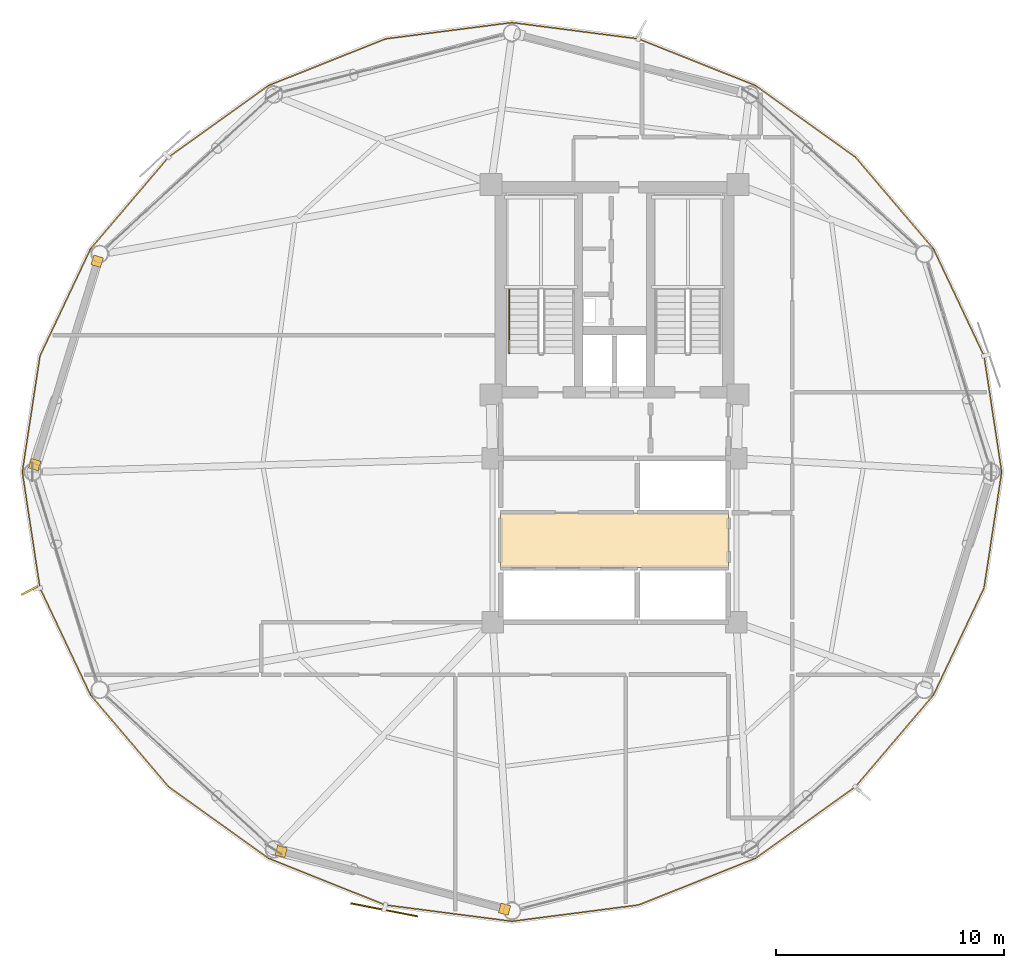
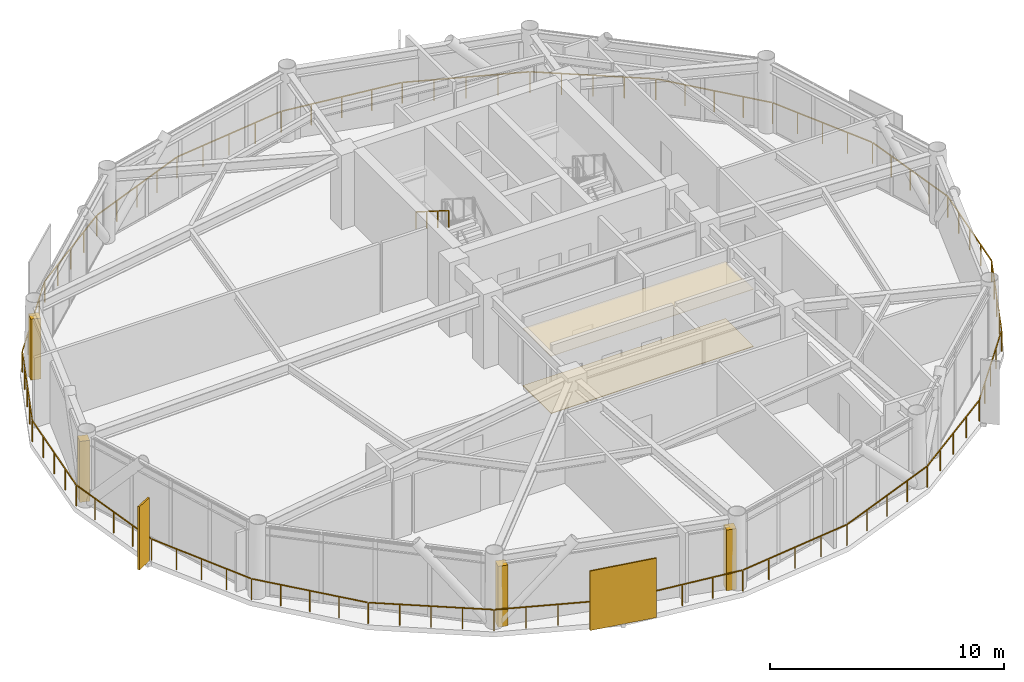
# One storey, part 25 of 27: 6 coverings, 2 railings, 2 shading devices.
"""IFC4 building model written with IfcOpenShell, lengths in metres."""

from ifc_helpers import new_model, si_unit, direction, frame, origin, origin_2d, place, context, subcontext, project, spatial, polyline, rectangle, outline, extrude, source, transform, mapped, material, layer, layer_set, type_object, type_shapes, element, save


model = new_model("IFC4")

# Units and contexts
model_context = context("Model", 3, precision=1e-05, world=origin(), true_north=direction((0.0, 1.0)))
body_context = subcontext(model_context, "Body", "Model", "MODEL_VIEW")
ifc_project = project(units=[si_unit("LENGTHUNIT", "METRE"), si_unit("AREAUNIT", "SQUARE_METRE"), si_unit("VOLUMEUNIT", "CUBIC_METRE"), si_unit("PLANEANGLEUNIT", "RADIAN"), si_unit("MASSUNIT", "GRAM", prefix="KILO")], contexts=[model_context])

# Site, building, storey
site_placement = place(None, origin())
site = spatial("IfcSite", under=ifc_project, at=site_placement, CompositionType="ELEMENT")
building_placement = place(site_placement, origin())
building = spatial("IfcBuilding", under=site, at=building_placement, Name="Varnakorn Sky Granary", CompositionType="ELEMENT")
storey_placement = place(building_placement, frame((0.0, 0.0, 134.39990234375)))
storey = spatial("IfcBuildingStorey", under=building, at=storey_placement, Name="L33", CompositionType="ELEMENT", Elevation=134.39990234375)

# Coverings
ifc_material_1 = material(Name="Perforated Acoustic Mineral-Fibre Ceiling", Category="gypsum")
ifc_layer_1 = layer(ifc_material_1, 0.02001953125, Name="Perforated Acoustic Mineral-Fibre Ceiling")
ifc_layer_set_1 = layer_set([ifc_layer_1], Name="Perforated Acoustic Mineral-Fibre Ceiling")
covering_type_1 = type_object("IfcCoveringType", Name="CV-CEIL-20", PredefinedType="CEILING", material=ifc_layer_set_1)
covering_1_placement = place(storey_placement, frame((0.0, 0.0, 2.989990234375)))
element("IfcCovering", 1, at=covering_1_placement, inside=storey, type_object=covering_type_1, Name="Lift Lobby Perforated Acoustic Ceiling L33", PredefinedType="CEILING", context=body_context, shape_type="SweptSolid", body=[
    extrude(outline(polyline([(-2.0, -4.199951171875), (8.0, -4.199951171875), (8.0, -1.800048828125), (-2.0, -1.800048828125), (-2.0, -4.199951171875)])), origin(), (0.0, 0.0, 1.0), 0.02001953125),
])
ifc_material_2 = material(Name="Honed Epoxy Terrazzo Topping", Category="concrete")
ifc_layer_2 = layer(ifc_material_2, 0.030029296875, Name="Honed Epoxy Terrazzo Topping")
ifc_layer_set_2 = layer_set([ifc_layer_2], Name="Honed Epoxy Terrazzo Topping")
covering_type_2 = type_object("IfcCoveringType", Name="CV-FLOR-30", PredefinedType="FLOORING", material=ifc_layer_set_2)
covering_2_placement = place(storey_placement, origin())
element("IfcCovering", 2, at=covering_2_placement, inside=storey, type_object=covering_type_2, Name="Lift Lobby Terrazzo Floor Finish L33", PredefinedType="FLOORING", context=body_context, shape_type="SweptSolid", body=[
    extrude(outline(polyline([(-2.0, -4.199951171875), (8.0, -4.199951171875), (8.0, -1.800048828125), (-2.0, -1.800048828125), (-2.0, -4.199951171875)])), origin(), (0.0, 0.0, 1.0), 0.030029296875),
])

# Railings
ifc_material_3 = material(Name="Anodised Bronze Aluminium Alloy 6063-T6", Category="aluminium")
railing_type_1 = type_object("IfcRailingType", Name="RL-BAL-1120", PredefinedType="BALUSTRADE", material=ifc_material_3)
railing_1_placement = place(storey_placement, frame((19.998779296875, 0.0, 0.0)))
element("IfcRailing", 3, at=railing_1_placement, inside=storey, type_object=railing_type_1, Name="Perimeter Slab-Edge Safety Guard L33", PredefinedType="BALUSTRADE", context=body_context, shape_type="SweptSolid", body=[
    extrude(rectangle(XDim=0.048095703125, YDim=0.048095703125, at=origin_2d()), frame((-0.004150390625, -0.027587890625, 1.09619140625), z_axis=(-0.150475237741, -0.988613778392, 0.0), x_axis=(0.988613778392, -0.150475237741, 0.0)), (0.0, 0.0, 1.0), 5.09375),
    extrude(rectangle(XDim=0.048095703125, YDim=0.048095703125, at=origin_2d()), frame((-0.786865234375, -5.116455078125, 1.09619140625), z_axis=(-0.426925239884, -0.904286923244, 0.0), x_axis=(0.904286923244, -0.426925239884, 0.0)), (0.0, 0.0, 1.0), 5.142822265625),
    extrude(rectangle(XDim=0.048095703125, YDim=0.048095703125, at=origin_2d()), frame((-3.012451171875, -9.8134765625, 1.09619140625), z_axis=(-0.647984742162, -0.761653316099, 0.0), x_axis=(0.761653316099, -0.647984742162, 0.0)), (0.0, 0.0, 1.0), 5.23193359375),
    extrude(rectangle(XDim=0.048095703125, YDim=0.048095703125, at=origin_2d()), frame((-6.443603515625, -13.836181640625, 1.09619140625), z_axis=(-0.812963610918, -0.582314491768, 0.0), x_axis=(0.582314491768, -0.812963610918, 0.0)), (0.0, 0.0, 1.0), 5.3486328125),
    extrude(rectangle(XDim=0.048095703125, YDim=0.048095703125, at=origin_2d()), frame((-10.8408203125, -16.977294921875, 1.09619140625), z_axis=(-0.928918059465, -0.370285347806, 0.0), x_axis=(0.370285347806, -0.928918059465, 0.0)), (0.0, 0.0, 1.0), 5.46728515625),
    extrude(rectangle(XDim=0.048095703125, YDim=0.048095703125, at=origin_2d()), frame((-15.97314453125, -19.015869140625, 1.09619140625), z_axis=(-0.99178946566, -0.127881413056, 0.0), x_axis=(0.127881413056, -0.99178946566, 0.0)), (0.0, 0.0, 1.0), 5.54345703125),
    extrude(rectangle(XDim=0.048095703125, YDim=0.048095703125, at=origin_2d()), frame((-21.526611328125, -19.724609375, 1.09619140625), z_axis=(-0.99178946566, 0.127881413056, 0.0), x_axis=(-0.127881413056, -0.99178946566, 0.0)), (0.0, 0.0, 1.0), 5.54345703125),
    extrude(rectangle(XDim=0.048095703125, YDim=0.048095703125, at=origin_2d()), frame((-27.078369140625, -19.001953125, 1.09619140625), z_axis=(-0.928918059465, 0.370285347806, 0.0), x_axis=(-0.370285347806, -0.928918059465, 0.0)), (0.0, 0.0, 1.0), 5.46728515625),
    extrude(rectangle(XDim=0.048095703125, YDim=0.048095703125, at=origin_2d()), frame((-32.20556640625, -16.95068359375, 1.09619140625), z_axis=(-0.812963610918, 0.582314491768, 0.0), x_axis=(-0.582314491768, -0.812963610918, 0.0)), (0.0, 0.0, 1.0), 5.3486328125),
    extrude(rectangle(XDim=0.048095703125, YDim=0.048095703125, at=origin_2d()), frame((-36.5947265625, -13.798583984375, 1.09619140625), z_axis=(-0.647984742162, 0.761653316099, 0.0), x_axis=(-0.761653316099, -0.647984742162, 0.0)), (0.0, 0.0, 1.0), 5.23193359375),
    extrude(rectangle(XDim=0.048095703125, YDim=0.048095703125, at=origin_2d()), frame((-40.01513671875, -9.766845703125, 1.09619140625), z_axis=(-0.426925239884, 0.904286923244, 0.0), x_axis=(-0.904286923244, -0.426925239884, 0.0)), (0.0, 0.0, 1.0), 5.142822265625),
    extrude(rectangle(XDim=0.048095703125, YDim=0.048095703125, at=origin_2d()), frame((-42.226806640625, -5.0634765625, 1.09619140625), z_axis=(-0.150475237741, 0.988613778392, 0.0), x_axis=(-0.988613778392, -0.150475237741, 0.0)), (0.0, 0.0, 1.0), 5.09375),
    extrude(rectangle(XDim=0.048095703125, YDim=0.048095703125, at=origin_2d()), frame((-42.993408203125, 0.027587890625, 1.09619140625), z_axis=(0.150475237741, 0.988613778392, 0.0), x_axis=(-0.988613778392, 0.150475237741, 0.0)), (0.0, 0.0, 1.0), 5.09375),
    extrude(rectangle(XDim=0.048095703125, YDim=0.048095703125, at=origin_2d()), frame((-42.210693359375, 5.116455078125, 1.09619140625), z_axis=(0.426925239884, 0.904286923244, 0.0), x_axis=(-0.904286923244, 0.426925239884, 0.0)), (0.0, 0.0, 1.0), 5.142822265625),
    extrude(rectangle(XDim=0.048095703125, YDim=0.048095703125, at=origin_2d()), frame((-39.985107421875, 9.8134765625, 1.09619140625), z_axis=(0.647984742162, 0.761653316099, 0.0), x_axis=(-0.761653316099, 0.647984742162, 0.0)), (0.0, 0.0, 1.0), 5.23193359375),
    extrude(rectangle(XDim=0.048095703125, YDim=0.048095703125, at=origin_2d()), frame((-36.553955078125, 13.836181640625, 1.09619140625), z_axis=(0.812963610918, 0.582314491768, 0.0), x_axis=(-0.582314491768, 0.812963610918, 0.0)), (0.0, 0.0, 1.0), 5.3486328125),
    extrude(rectangle(XDim=0.048095703125, YDim=0.048095703125, at=origin_2d()), frame((-32.15673828125, 16.977294921875, 1.09619140625), z_axis=(0.928918059465, 0.370285347806, 0.0), x_axis=(-0.370285347806, 0.928918059465, 0.0)), (0.0, 0.0, 1.0), 5.46728515625),
    extrude(rectangle(XDim=0.048095703125, YDim=0.048095703125, at=origin_2d()), frame((-27.0244140625, 19.015869140625, 1.09619140625), z_axis=(0.99178946566, 0.127881413056, 0.0), x_axis=(-0.127881413056, 0.99178946566, 0.0)), (0.0, 0.0, 1.0), 5.54345703125),
    extrude(rectangle(XDim=0.048095703125, YDim=0.048095703125, at=origin_2d()), frame((-21.470947265625, 19.724609375, 1.09619140625), z_axis=(0.99178946566, -0.127881413056, 0.0), x_axis=(0.127881413056, 0.99178946566, 0.0)), (0.0, 0.0, 1.0), 5.54345703125),
    extrude(rectangle(XDim=0.048095703125, YDim=0.048095703125, at=origin_2d()), frame((-15.919189453125, 19.001953125, 1.09619140625), z_axis=(0.928918059465, -0.370285347806, 0.0), x_axis=(0.370285347806, 0.928918059465, 0.0)), (0.0, 0.0, 1.0), 5.46728515625),
    extrude(rectangle(XDim=0.048095703125, YDim=0.048095703125, at=origin_2d()), frame((-10.7919921875, 16.95068359375, 1.09619140625), z_axis=(0.812963610918, -0.582314491768, 0.0), x_axis=(0.582314491768, 0.812963610918, 0.0)), (0.0, 0.0, 1.0), 5.3486328125),
    extrude(rectangle(XDim=0.048095703125, YDim=0.048095703125, at=origin_2d()), frame((-6.40283203125, 13.798583984375, 1.09619140625), z_axis=(0.647984742162, -0.761653316099, 0.0), x_axis=(0.761653316099, 0.647984742162, 0.0)), (0.0, 0.0, 1.0), 5.23193359375),
    extrude(rectangle(XDim=0.048095703125, YDim=0.048095703125, at=origin_2d()), frame((-2.982421875, 9.766845703125, 1.09619140625), z_axis=(0.426925239884, -0.904286923244, 0.0), x_axis=(0.904286923244, 0.426925239884, 0.0)), (0.0, 0.0, 1.0), 5.142822265625),
    extrude(rectangle(XDim=0.048095703125, YDim=0.048095703125, at=origin_2d()), frame((-0.770751953125, 5.0634765625, 1.09619140625), z_axis=(0.150475237741, -0.988613778392, 0.0), x_axis=(0.988613778392, 0.150475237741, 0.0)), (0.0, 0.0, 1.0), 5.09375),
    extrude(rectangle(XDim=0.0419921875, YDim=0.0419921875, at=origin_2d()), origin(), (0.0, 0.0, 1.0), 1.068115234375),
    extrude(rectangle(XDim=0.0419921875, YDim=0.0419921875, at=origin_2d()), frame((-0.19384765625, -1.272705078125, 0.0)), (0.0, 0.0, 1.0), 1.068115234375),
    extrude(rectangle(XDim=0.0419921875, YDim=0.0419921875, at=origin_2d()), frame((-0.387451171875, -2.54541015625, 0.0)), (0.0, 0.0, 1.0), 1.068115234375),
    extrude(rectangle(XDim=0.0419921875, YDim=0.0419921875, at=origin_2d()), frame((-0.5810546875, -3.818359375, 0.0)), (0.0, 0.0, 1.0), 1.068115234375),
    extrude(rectangle(XDim=0.0419921875, YDim=0.0419921875, at=origin_2d()), frame((-0.77490234375, -5.091064453125, 0.0)), (0.0, 0.0, 1.0), 1.068115234375),
    extrude(rectangle(XDim=0.0419921875, YDim=0.0419921875, at=origin_2d()), frame((-1.329833984375, -6.266357421875, 0.0)), (0.0, 0.0, 1.0), 1.068115234375),
    extrude(rectangle(XDim=0.0419921875, YDim=0.0419921875, at=origin_2d()), frame((-1.884765625, -7.441650390625, 0.0)), (0.0, 0.0, 1.0), 1.068115234375),
    extrude(rectangle(XDim=0.0419921875, YDim=0.0419921875, at=origin_2d()), frame((-2.439453125, -8.616943359375, 0.0)), (0.0, 0.0, 1.0), 1.068115234375),
    extrude(rectangle(XDim=0.0419921875, YDim=0.0419921875, at=origin_2d()), frame((-2.994384765625, -9.792236328125, 0.0)), (0.0, 0.0, 1.0), 1.068115234375),
    extrude(rectangle(XDim=0.0419921875, YDim=0.0419921875, at=origin_2d()), frame((-3.85107421875, -10.799072265625, 0.0)), (0.0, 0.0, 1.0), 1.068115234375),
    extrude(rectangle(XDim=0.0419921875, YDim=0.0419921875, at=origin_2d()), frame((-4.70751953125, -11.80615234375, 0.0)), (0.0, 0.0, 1.0), 1.068115234375),
    extrude(rectangle(XDim=0.0419921875, YDim=0.0419921875, at=origin_2d()), frame((-5.564208984375, -12.81298828125, 0.0)), (0.0, 0.0, 1.0), 1.068115234375),
    extrude(rectangle(XDim=0.0419921875, YDim=0.0419921875, at=origin_2d()), frame((-6.4208984375, -13.81982421875, 0.0)), (0.0, 0.0, 1.0), 1.068115234375),
    extrude(rectangle(XDim=0.0419921875, YDim=0.0419921875, at=origin_2d()), frame((-7.519287109375, -14.606689453125, 0.0)), (0.0, 0.0, 1.0), 1.068115234375),
    extrude(rectangle(XDim=0.0419921875, YDim=0.0419921875, at=origin_2d()), frame((-8.61767578125, -15.3935546875, 0.0)), (0.0, 0.0, 1.0), 1.068115234375),
    extrude(rectangle(XDim=0.0419921875, YDim=0.0419921875, at=origin_2d()), frame((-9.71630859375, -16.18017578125, 0.0)), (0.0, 0.0, 1.0), 1.068115234375),
    extrude(rectangle(XDim=0.0419921875, YDim=0.0419921875, at=origin_2d()), frame((-10.814697265625, -16.967041015625, 0.0)), (0.0, 0.0, 1.0), 1.068115234375),
    extrude(rectangle(XDim=0.0419921875, YDim=0.0419921875, at=origin_2d()), frame((-12.097412109375, -17.478271484375, 0.0)), (0.0, 0.0, 1.0), 1.068115234375),
    extrude(rectangle(XDim=0.0419921875, YDim=0.0419921875, at=origin_2d()), frame((-13.3798828125, -17.98974609375, 0.0)), (0.0, 0.0, 1.0), 1.068115234375),
    extrude(rectangle(XDim=0.0419921875, YDim=0.0419921875, at=origin_2d()), frame((-14.66259765625, -18.5009765625, 0.0)), (0.0, 0.0, 1.0), 1.068115234375),
    extrude(rectangle(XDim=0.0419921875, YDim=0.0419921875, at=origin_2d()), frame((-15.9453125, -19.01220703125, 0.0)), (0.0, 0.0, 1.0), 1.068115234375),
    extrude(rectangle(XDim=0.0419921875, YDim=0.0419921875, at=origin_2d()), frame((-17.333740234375, -19.191162109375, 0.0)), (0.0, 0.0, 1.0), 1.068115234375),
    extrude(rectangle(XDim=0.0419921875, YDim=0.0419921875, at=origin_2d()), frame((-18.72216796875, -19.3701171875, 0.0)), (0.0, 0.0, 1.0), 1.068115234375),
    extrude(rectangle(XDim=0.0419921875, YDim=0.0419921875, at=origin_2d()), frame((-20.1103515625, -19.54931640625, 0.0)), (0.0, 0.0, 1.0), 1.068115234375),
    extrude(rectangle(XDim=0.0419921875, YDim=0.0419921875, at=origin_2d()), frame((-21.498779296875, -19.728271484375, 0.0)), (0.0, 0.0, 1.0), 1.068115234375),
    extrude(rectangle(XDim=0.0419921875, YDim=0.0419921875, at=origin_2d()), frame((-22.88720703125, -19.54931640625, 0.0)), (0.0, 0.0, 1.0), 1.068115234375),
    extrude(rectangle(XDim=0.0419921875, YDim=0.0419921875, at=origin_2d()), frame((-24.275390625, -19.3701171875, 0.0)), (0.0, 0.0, 1.0), 1.068115234375),
    extrude(rectangle(XDim=0.0419921875, YDim=0.0419921875, at=origin_2d()), frame((-25.663818359375, -19.191162109375, 0.0)), (0.0, 0.0, 1.0), 1.068115234375),
    extrude(rectangle(XDim=0.0419921875, YDim=0.0419921875, at=origin_2d()), frame((-27.05224609375, -19.01220703125, 0.0)), (0.0, 0.0, 1.0), 1.068115234375),
    extrude(rectangle(XDim=0.0419921875, YDim=0.0419921875, at=origin_2d()), frame((-28.3349609375, -18.5009765625, 0.0)), (0.0, 0.0, 1.0), 1.068115234375),
    extrude(rectangle(XDim=0.0419921875, YDim=0.0419921875, at=origin_2d()), frame((-29.61767578125, -17.98974609375, 0.0)), (0.0, 0.0, 1.0), 1.068115234375),
    extrude(rectangle(XDim=0.0419921875, YDim=0.0419921875, at=origin_2d()), frame((-30.900146484375, -17.478271484375, 0.0)), (0.0, 0.0, 1.0), 1.068115234375),
    extrude(rectangle(XDim=0.0419921875, YDim=0.0419921875, at=origin_2d()), frame((-32.182861328125, -16.967041015625, 0.0)), (0.0, 0.0, 1.0), 1.068115234375),
    extrude(rectangle(XDim=0.0419921875, YDim=0.0419921875, at=origin_2d()), frame((-33.28125, -16.18017578125, 0.0)), (0.0, 0.0, 1.0), 1.068115234375),
    extrude(rectangle(XDim=0.0419921875, YDim=0.0419921875, at=origin_2d()), frame((-34.3798828125, -15.3935546875, 0.0)), (0.0, 0.0, 1.0), 1.068115234375),
    extrude(rectangle(XDim=0.0419921875, YDim=0.0419921875, at=origin_2d()), frame((-35.478271484375, -14.606689453125, 0.0)), (0.0, 0.0, 1.0), 1.068115234375),
    extrude(rectangle(XDim=0.0419921875, YDim=0.0419921875, at=origin_2d()), frame((-36.57666015625, -13.81982421875, 0.0)), (0.0, 0.0, 1.0), 1.068115234375),
    extrude(rectangle(XDim=0.0419921875, YDim=0.0419921875, at=origin_2d()), frame((-37.433349609375, -12.81298828125, 0.0)), (0.0, 0.0, 1.0), 1.068115234375),
    extrude(rectangle(XDim=0.0419921875, YDim=0.0419921875, at=origin_2d()), frame((-38.2900390625, -11.80615234375, 0.0)), (0.0, 0.0, 1.0), 1.068115234375),
    extrude(rectangle(XDim=0.0419921875, YDim=0.0419921875, at=origin_2d()), frame((-39.146484375, -10.799072265625, 0.0)), (0.0, 0.0, 1.0), 1.068115234375),
    extrude(rectangle(XDim=0.0419921875, YDim=0.0419921875, at=origin_2d()), frame((-40.003173828125, -9.792236328125, 0.0)), (0.0, 0.0, 1.0), 1.068115234375),
    extrude(rectangle(XDim=0.0419921875, YDim=0.0419921875, at=origin_2d()), frame((-40.55810546875, -8.616943359375, 0.0)), (0.0, 0.0, 1.0), 1.068115234375),
    extrude(rectangle(XDim=0.0419921875, YDim=0.0419921875, at=origin_2d()), frame((-41.11279296875, -7.441650390625, 0.0)), (0.0, 0.0, 1.0), 1.068115234375),
    extrude(rectangle(XDim=0.0419921875, YDim=0.0419921875, at=origin_2d()), frame((-41.667724609375, -6.266357421875, 0.0)), (0.0, 0.0, 1.0), 1.068115234375),
    extrude(rectangle(XDim=0.0419921875, YDim=0.0419921875, at=origin_2d()), frame((-42.22265625, -5.091064453125, 0.0)), (0.0, 0.0, 1.0), 1.068115234375),
    extrude(rectangle(XDim=0.0419921875, YDim=0.0419921875, at=origin_2d()), frame((-42.41650390625, -3.818359375, 0.0)), (0.0, 0.0, 1.0), 1.068115234375),
    extrude(rectangle(XDim=0.0419921875, YDim=0.0419921875, at=origin_2d()), frame((-42.610107421875, -2.54541015625, 0.0)), (0.0, 0.0, 1.0), 1.068115234375),
    extrude(rectangle(XDim=0.0419921875, YDim=0.0419921875, at=origin_2d()), frame((-42.8037109375, -1.272705078125, 0.0)), (0.0, 0.0, 1.0), 1.068115234375),
    extrude(rectangle(XDim=0.0419921875, YDim=0.0419921875, at=origin_2d()), frame((-42.99755859375, 0.0, 0.0)), (0.0, 0.0, 1.0), 1.068115234375),
    extrude(rectangle(XDim=0.0419921875, YDim=0.0419921875, at=origin_2d()), frame((-42.8037109375, 1.272705078125, 0.0)), (0.0, 0.0, 1.0), 1.068115234375),
    extrude(rectangle(XDim=0.0419921875, YDim=0.0419921875, at=origin_2d()), frame((-42.610107421875, 2.54541015625, 0.0)), (0.0, 0.0, 1.0), 1.068115234375),
    extrude(rectangle(XDim=0.0419921875, YDim=0.0419921875, at=origin_2d()), frame((-42.41650390625, 3.818359375, 0.0)), (0.0, 0.0, 1.0), 1.068115234375),
    extrude(rectangle(XDim=0.0419921875, YDim=0.0419921875, at=origin_2d()), frame((-42.22265625, 5.091064453125, 0.0)), (0.0, 0.0, 1.0), 1.068115234375),
    extrude(rectangle(XDim=0.0419921875, YDim=0.0419921875, at=origin_2d()), frame((-41.667724609375, 6.266357421875, 0.0)), (0.0, 0.0, 1.0), 1.068115234375),
    extrude(rectangle(XDim=0.0419921875, YDim=0.0419921875, at=origin_2d()), frame((-41.11279296875, 7.441650390625, 0.0)), (0.0, 0.0, 1.0), 1.068115234375),
    extrude(rectangle(XDim=0.0419921875, YDim=0.0419921875, at=origin_2d()), frame((-40.55810546875, 8.616943359375, 0.0)), (0.0, 0.0, 1.0), 1.068115234375),
    extrude(rectangle(XDim=0.0419921875, YDim=0.0419921875, at=origin_2d()), frame((-40.003173828125, 9.792236328125, 0.0)), (0.0, 0.0, 1.0), 1.068115234375),
    extrude(rectangle(XDim=0.0419921875, YDim=0.0419921875, at=origin_2d()), frame((-39.146484375, 10.799072265625, 0.0)), (0.0, 0.0, 1.0), 1.068115234375),
    extrude(rectangle(XDim=0.0419921875, YDim=0.0419921875, at=origin_2d()), frame((-38.2900390625, 11.80615234375, 0.0)), (0.0, 0.0, 1.0), 1.068115234375),
    extrude(rectangle(XDim=0.0419921875, YDim=0.0419921875, at=origin_2d()), frame((-37.433349609375, 12.81298828125, 0.0)), (0.0, 0.0, 1.0), 1.068115234375),
    extrude(rectangle(XDim=0.0419921875, YDim=0.0419921875, at=origin_2d()), frame((-36.57666015625, 13.81982421875, 0.0)), (0.0, 0.0, 1.0), 1.068115234375),
    extrude(rectangle(XDim=0.0419921875, YDim=0.0419921875, at=origin_2d()), frame((-35.478271484375, 14.606689453125, 0.0)), (0.0, 0.0, 1.0), 1.068115234375),
    extrude(rectangle(XDim=0.0419921875, YDim=0.0419921875, at=origin_2d()), frame((-34.3798828125, 15.3935546875, 0.0)), (0.0, 0.0, 1.0), 1.068115234375),
    extrude(rectangle(XDim=0.0419921875, YDim=0.0419921875, at=origin_2d()), frame((-33.28125, 16.18017578125, 0.0)), (0.0, 0.0, 1.0), 1.068115234375),
    extrude(rectangle(XDim=0.0419921875, YDim=0.0419921875, at=origin_2d()), frame((-32.182861328125, 16.967041015625, 0.0)), (0.0, 0.0, 1.0), 1.068115234375),
    extrude(rectangle(XDim=0.0419921875, YDim=0.0419921875, at=origin_2d()), frame((-30.900146484375, 17.478271484375, 0.0)), (0.0, 0.0, 1.0), 1.068115234375),
    extrude(rectangle(XDim=0.0419921875, YDim=0.0419921875, at=origin_2d()), frame((-29.61767578125, 17.98974609375, 0.0)), (0.0, 0.0, 1.0), 1.068115234375),
    extrude(rectangle(XDim=0.0419921875, YDim=0.0419921875, at=origin_2d()), frame((-28.3349609375, 18.5009765625, 0.0)), (0.0, 0.0, 1.0), 1.068115234375),
    extrude(rectangle(XDim=0.0419921875, YDim=0.0419921875, at=origin_2d()), frame((-27.05224609375, 19.01220703125, 0.0)), (0.0, 0.0, 1.0), 1.068115234375),
    extrude(rectangle(XDim=0.0419921875, YDim=0.0419921875, at=origin_2d()), frame((-25.663818359375, 19.191162109375, 0.0)), (0.0, 0.0, 1.0), 1.068115234375),
    extrude(rectangle(XDim=0.0419921875, YDim=0.0419921875, at=origin_2d()), frame((-24.275390625, 19.3701171875, 0.0)), (0.0, 0.0, 1.0), 1.068115234375),
    extrude(rectangle(XDim=0.0419921875, YDim=0.0419921875, at=origin_2d()), frame((-22.88720703125, 19.54931640625, 0.0)), (0.0, 0.0, 1.0), 1.068115234375),
    extrude(rectangle(XDim=0.0419921875, YDim=0.0419921875, at=origin_2d()), frame((-21.498779296875, 19.728271484375, 0.0)), (0.0, 0.0, 1.0), 1.068115234375),
    extrude(rectangle(XDim=0.0419921875, YDim=0.0419921875, at=origin_2d()), frame((-20.1103515625, 19.54931640625, 0.0)), (0.0, 0.0, 1.0), 1.068115234375),
    extrude(rectangle(XDim=0.0419921875, YDim=0.0419921875, at=origin_2d()), frame((-18.72216796875, 19.3701171875, 0.0)), (0.0, 0.0, 1.0), 1.068115234375),
    extrude(rectangle(XDim=0.0419921875, YDim=0.0419921875, at=origin_2d()), frame((-17.333740234375, 19.191162109375, 0.0)), (0.0, 0.0, 1.0), 1.068115234375),
    extrude(rectangle(XDim=0.0419921875, YDim=0.0419921875, at=origin_2d()), frame((-15.9453125, 19.01220703125, 0.0)), (0.0, 0.0, 1.0), 1.068115234375),
    extrude(rectangle(XDim=0.0419921875, YDim=0.0419921875, at=origin_2d()), frame((-14.66259765625, 18.5009765625, 0.0)), (0.0, 0.0, 1.0), 1.068115234375),
    extrude(rectangle(XDim=0.0419921875, YDim=0.0419921875, at=origin_2d()), frame((-13.3798828125, 17.98974609375, 0.0)), (0.0, 0.0, 1.0), 1.068115234375),
    extrude(rectangle(XDim=0.0419921875, YDim=0.0419921875, at=origin_2d()), frame((-12.097412109375, 17.478271484375, 0.0)), (0.0, 0.0, 1.0), 1.068115234375),
    extrude(rectangle(XDim=0.0419921875, YDim=0.0419921875, at=origin_2d()), frame((-10.814697265625, 16.967041015625, 0.0)), (0.0, 0.0, 1.0), 1.068115234375),
    extrude(rectangle(XDim=0.0419921875, YDim=0.0419921875, at=origin_2d()), frame((-9.71630859375, 16.18017578125, 0.0)), (0.0, 0.0, 1.0), 1.068115234375),
    extrude(rectangle(XDim=0.0419921875, YDim=0.0419921875, at=origin_2d()), frame((-8.61767578125, 15.3935546875, 0.0)), (0.0, 0.0, 1.0), 1.068115234375),
    extrude(rectangle(XDim=0.0419921875, YDim=0.0419921875, at=origin_2d()), frame((-7.519287109375, 14.606689453125, 0.0)), (0.0, 0.0, 1.0), 1.068115234375),
    extrude(rectangle(XDim=0.0419921875, YDim=0.0419921875, at=origin_2d()), frame((-6.4208984375, 13.81982421875, 0.0)), (0.0, 0.0, 1.0), 1.068115234375),
    extrude(rectangle(XDim=0.0419921875, YDim=0.0419921875, at=origin_2d()), frame((-5.564208984375, 12.81298828125, 0.0)), (0.0, 0.0, 1.0), 1.068115234375),
    extrude(rectangle(XDim=0.0419921875, YDim=0.0419921875, at=origin_2d()), frame((-4.70751953125, 11.80615234375, 0.0)), (0.0, 0.0, 1.0), 1.068115234375),
    extrude(rectangle(XDim=0.0419921875, YDim=0.0419921875, at=origin_2d()), frame((-3.85107421875, 10.799072265625, 0.0)), (0.0, 0.0, 1.0), 1.068115234375),
    extrude(rectangle(XDim=0.0419921875, YDim=0.0419921875, at=origin_2d()), frame((-2.994384765625, 9.792236328125, 0.0)), (0.0, 0.0, 1.0), 1.068115234375),
    extrude(rectangle(XDim=0.0419921875, YDim=0.0419921875, at=origin_2d()), frame((-2.439453125, 8.616943359375, 0.0)), (0.0, 0.0, 1.0), 1.068115234375),
    extrude(rectangle(XDim=0.0419921875, YDim=0.0419921875, at=origin_2d()), frame((-1.884765625, 7.441650390625, 0.0)), (0.0, 0.0, 1.0), 1.068115234375),
    extrude(rectangle(XDim=0.0419921875, YDim=0.0419921875, at=origin_2d()), frame((-1.329833984375, 6.266357421875, 0.0)), (0.0, 0.0, 1.0), 1.068115234375),
    extrude(rectangle(XDim=0.0419921875, YDim=0.0419921875, at=origin_2d()), frame((-0.77490234375, 5.091064453125, 0.0)), (0.0, 0.0, 1.0), 1.068115234375),
    extrude(rectangle(XDim=0.0419921875, YDim=0.0419921875, at=origin_2d()), frame((-0.5810546875, 3.818359375, 0.0)), (0.0, 0.0, 1.0), 1.068115234375),
    extrude(rectangle(XDim=0.0419921875, YDim=0.0419921875, at=origin_2d()), frame((-0.387451171875, 2.54541015625, 0.0)), (0.0, 0.0, 1.0), 1.068115234375),
    extrude(rectangle(XDim=0.0419921875, YDim=0.0419921875, at=origin_2d()), frame((-0.19384765625, 1.272705078125, 0.0)), (0.0, 0.0, 1.0), 1.068115234375),
])
ifc_material_4 = material(Name="Brushed Stainless Steel 316", Category="steel")
railing_type_2 = type_object("IfcRailingType", Name="RL-STAIR-920", PredefinedType="HANDRAIL", material=ifc_material_4)
railing_2_placement = place(storey_placement, frame((-1.6201171875, 8.0, 2.12744140625)))
element("IfcRailing", 4, at=railing_2_placement, inside=storey, type_object=railing_type_2, Name="L33 ST-1 stair handrail 2", PredefinedType="HANDRAIL", context=body_context, shape_type="SweptSolid", body=[
    extrude(rectangle(XDim=0.048095703125, YDim=0.048095703125, at=origin_2d()), frame((0.0, 0.0, 0.8759765625), z_axis=(0.0, -0.844908973607, 0.534910110503), x_axis=(1.0, 0.0, 0.0)), (0.0, 0.0, 1.0), 3.31396484375),
    extrude(rectangle(XDim=0.0419921875, YDim=0.0419921875, at=origin_2d()), origin(), (0.0, 0.0, 1.0), 0.847900390625),
    extrude(rectangle(XDim=0.0419921875, YDim=0.0419921875, at=origin_2d()), frame((0.0, -0.933349609375, 0.5908203125)), (0.0, 0.0, 1.0), 0.847900390625),
    extrude(rectangle(XDim=0.0419921875, YDim=0.0419921875, at=origin_2d()), frame((0.0, -1.86669921875, 1.181884765625)), (0.0, 0.0, 1.0), 0.847900390625),
    extrude(rectangle(XDim=0.0419921875, YDim=0.0419921875, at=origin_2d()), frame((0.0, -2.800048828125, 1.772705078125)), (0.0, 0.0, 1.0), 0.847900390625),
])

# Shading devices
shading_device_type_1 = type_object("IfcShadingDeviceType", Name="SH-SCR-02", PredefinedType="USERDEFINED", material=ifc_material_3)
shared_shape_1 = source(origin(), body_context, "Body", "SweptSolid", [
    extrude(rectangle(XDim=3.0, YDim=0.06494140625, at=origin_2d()), origin(), (0.0, 0.0, 1.0), 3.10009765625),
])
type_shapes(shading_device_type_1, [shared_shape_1])
shading_device_1_placement = place(storey_placement, frame((-7.114990234375, -19.224365234375, -0.0400390625), z_axis=(0.0, 0.0, 1.0), x_axis=(0.981520067994, -0.191359233187, 0.0)))
element("IfcShadingDevice", 5, at=shading_device_1_placement, inside=storey, type_object=shading_device_type_1, Name="Perforated Bronze Solar Screen Panel SCREEN L33-09", ObjectType="SCREEN", PredefinedType="USERDEFINED", context=body_context, shape_type="MappedRepresentation", body=[
    mapped(shared_shape_1, transform((0.0, 0.0, 0.0), x_axis=(1.0, 0.0, 0.0), y_axis=(0.0, 1.0, 0.0), z_axis=(0.0, 0.0, 1.0), scale=1.0)),
])
shading_device_type_2 = type_object("IfcShadingDeviceType", Name="SH-FIN-02", PredefinedType="USERDEFINED", material=ifc_material_3)
shared_shape_2 = source(origin(), body_context, "Body", "SweptSolid", [
    extrude(rectangle(XDim=0.0849609375, YDim=0.820068359375, at=origin_2d()), origin(), (0.0, 0.0, 1.0), 3.300048828125),
])
type_shapes(shading_device_type_2, [shared_shape_2])
shading_device_2_placement = place(storey_placement, frame((-22.680419921875, -5.206298828125, -0.0400390625), z_axis=(0.0, 0.0, 1.0), x_axis=(0.469267026622, -0.883056316282, 0.0)))
element("IfcShadingDevice", 6, at=shading_device_2_placement, inside=storey, type_object=shading_device_type_2, Name="Bronze Solar-Tracking Vertical Blade FIN L33-07", ObjectType="FIN", PredefinedType="USERDEFINED", context=body_context, shape_type="MappedRepresentation", body=[
    mapped(shared_shape_2, transform((0.0, 0.0, 0.0), x_axis=(1.0, 0.0, 0.0), y_axis=(0.0, 1.0, 0.0), z_axis=(0.0, 0.0, 1.0), scale=1.0)),
])

# Coverings
ifc_layer_3 = layer(ifc_material_3, 0.050048828125, Name="Anodised Bronze Aluminium Alloy 6063-T6")
ifc_layer_set_3 = layer_set([ifc_layer_3], Name="Anodised Bronze Aluminium Alloy 6063-T6")
covering_type_3 = type_object("IfcCoveringType", Name="CV-CLAD-50", PredefinedType="CLADDING", material=ifc_layer_set_3)
shared_shape_3 = source(origin(), body_context, "Body", "SweptSolid", [
    extrude(rectangle(XDim=0.43994140625, YDim=0.43994140625, at=origin_2d()), origin(), (0.0, 0.0, 1.0), 3.179931640625),
])
type_shapes(covering_type_3, [shared_shape_3])
for number, where, z_axis, x_axis, name in (
    (7, (-22.451416015625, 0.3212890625, -0.02001953125), (0.0, 0.0, 1.0), (0.293372984228, 0.955998060733, 0.0), "Bronze Corner Pilaster Closure L33-P06-A"),
    (8, (-19.71142578125, 9.250732421875, -0.02001953125), (0.0, 0.0, 1.0), (0.293372984228, 0.955998060733, 0.0), "Bronze Corner Pilaster Closure L33-P06-B"),
    (9, (-1.8251953125, -19.195068359375, -0.02001953125), (0.0, 0.0, 1.0), (-0.968234980502, 0.250042041528, 0.0), "Bronze Corner Pilaster Closure L33-P09-A"),
    (10, (-11.632080078125, -16.6630859375, -0.02001953125), (0.0, 0.0, 1.0), (-0.968234980502, 0.250042041528, 0.0), "Bronze Corner Pilaster Closure L33-P09-B"),
):
    element("IfcCovering", number, at=place(storey_placement, frame(where, z_axis=z_axis, x_axis=x_axis)), inside=storey, type_object=covering_type_3, Name=name, PredefinedType="CLADDING", context=body_context, shape_type="MappedRepresentation", body=[
        mapped(shared_shape_3, transform((0.0, 0.0, 0.0), x_axis=(1.0, 0.0, 0.0), y_axis=(0.0, 1.0, 0.0), z_axis=(0.0, 0.0, 1.0), scale=1.0)),
    ])

save(model, "model.ifc")
